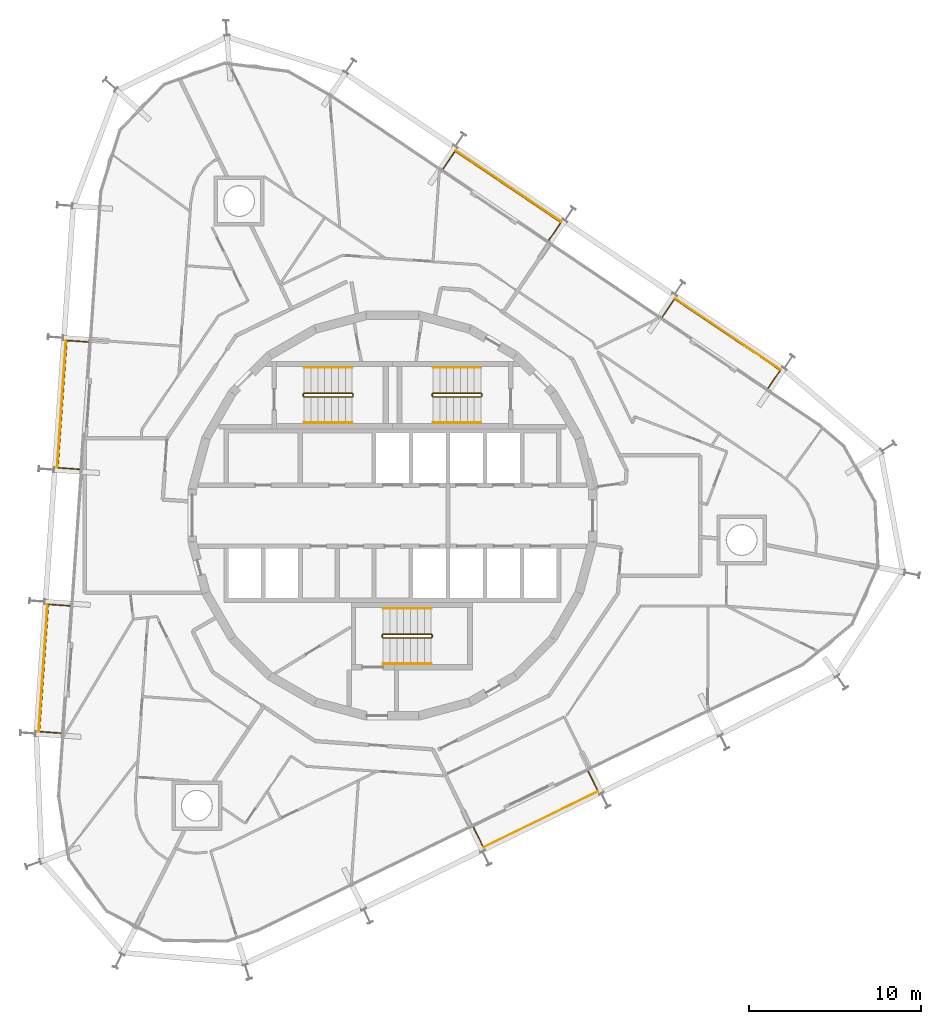
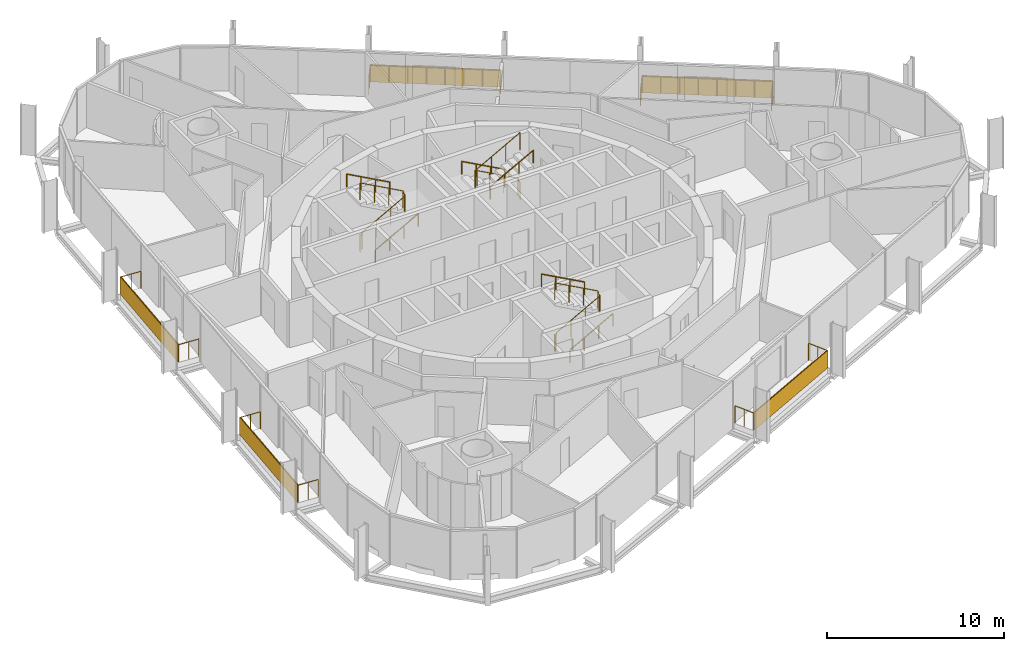
# One storey, part 17 of 17: 14 railings, 5 shading devices.
"""IFC4 building model written with IfcOpenShell, lengths in metres."""

from ifc_helpers import new_model, si_unit, direction, frame, origin, origin_2d, place, context, subcontext, project, spatial, rectangle, circle, extrude, material, layer, layer_set, type_object, element, save


model = new_model("IFC4")

# Units and contexts
model_context = context("Model", 3, precision=1e-05, world=origin(), true_north=direction((0.0, 1.0)))
body_context = subcontext(model_context, "Body", "Model", "MODEL_VIEW")
ifc_project = project(units=[si_unit("LENGTHUNIT", "METRE"), si_unit("AREAUNIT", "SQUARE_METRE"), si_unit("VOLUMEUNIT", "CUBIC_METRE"), si_unit("PLANEANGLEUNIT", "RADIAN"), si_unit("MASSUNIT", "GRAM", prefix="KILO")], contexts=[model_context])

# Site, building, storey
site_placement = place(None, origin())
site = spatial("IfcSite", under=ifc_project, at=site_placement, CompositionType="ELEMENT")
building_placement = place(site_placement, origin())
building = spatial("IfcBuilding", under=site, at=building_placement, Name="Spindle Arch Residences", CompositionType="ELEMENT")
storey_placement = place(building_placement, frame((0.0, 0.0, 191.89990234375)))
storey = spatial("IfcBuildingStorey", under=building, at=storey_placement, Name="L48", CompositionType="ELEMENT", Elevation=191.89990234375)

# Railings
ifc_material_1 = material(Name="Bronze anodised aluminium guard with glass infill", Category="aluminium")
railing_type_1 = type_object("IfcRailingType", Name="Balcony guard 1200", PredefinedType="GUARDRAIL", material=ifc_material_1)
railing_1_placement = place(storey_placement, frame((21.8544921875, 7.41796875, 0.0)))
element("IfcRailing", 1, at=railing_1_placement, inside=storey, type_object=railing_type_1, Name="Guard L48 bay 6", PredefinedType="GUARDRAIL", context=body_context, shape_type="SweptSolid", body=[
    extrude(circle(Radius=0.02392578125, at=origin_2d()), frame((0.0, 0.0, 1.17578125), z_axis=(0.559154156027, 0.829063706718, 0.0), x_axis=(-0.829063706718, 0.559154156027, 0.0)), (0.0, 0.0, 1.0), 1.25),
    extrude(circle(Radius=0.02392578125, at=origin_2d()), frame((0.698974609375, 1.036376953125, 1.17578125), z_axis=(-0.829032773144, 0.559200018824, 0.0), x_axis=(-0.559200018824, -0.829032773144, 0.0)), (0.0, 0.0, 1.0), 7.423828125),
    extrude(circle(Radius=0.02392578125, at=origin_2d()), frame((-5.45556640625, 5.187744140625, 1.17578125), z_axis=(-0.559154156027, -0.829063706718, 0.0), x_axis=(0.829063706718, -0.559154156027, 0.0)), (0.0, 0.0, 1.0), 1.25),
    extrude(circle(Radius=0.02099609375, at=origin_2d()), origin(), (0.0, 0.0, 1.0), 1.15185546875),
    extrude(circle(Radius=0.02099609375, at=origin_2d()), frame((0.349609375, 0.51806640625, 0.0)), (0.0, 0.0, 1.0), 1.15185546875),
    extrude(circle(Radius=0.02099609375, at=origin_2d()), frame((0.698974609375, 1.036376953125, 0.0)), (0.0, 0.0, 1.0), 1.15185546875),
    extrude(circle(Radius=0.02099609375, at=origin_2d()), frame((-0.18017578125, 1.62939453125, 0.0)), (0.0, 0.0, 1.0), 1.15185546875),
    extrude(circle(Radius=0.02099609375, at=origin_2d()), frame((-1.0595703125, 2.222412109375, 0.0)), (0.0, 0.0, 1.0), 1.15185546875),
    extrude(circle(Radius=0.02099609375, at=origin_2d()), frame((-1.938720703125, 2.8154296875, 0.0)), (0.0, 0.0, 1.0), 1.15185546875),
    extrude(circle(Radius=0.02099609375, at=origin_2d()), frame((-2.81787109375, 3.40869140625, 0.0)), (0.0, 0.0, 1.0), 1.15185546875),
    extrude(circle(Radius=0.02099609375, at=origin_2d()), frame((-3.697021484375, 4.001708984375, 0.0)), (0.0, 0.0, 1.0), 1.15185546875),
    extrude(circle(Radius=0.02099609375, at=origin_2d()), frame((-4.576416015625, 4.5947265625, 0.0)), (0.0, 0.0, 1.0), 1.15185546875),
    extrude(circle(Radius=0.02099609375, at=origin_2d()), frame((-5.45556640625, 5.187744140625, 0.0)), (0.0, 0.0, 1.0), 1.15185546875),
    extrude(circle(Radius=0.02099609375, at=origin_2d()), frame((-5.80517578125, 4.66943359375, 0.0)), (0.0, 0.0, 1.0), 1.15185546875),
    extrude(circle(Radius=0.02099609375, at=origin_2d()), frame((-6.154541015625, 4.1513671875, 0.0)), (0.0, 0.0, 1.0), 1.15185546875),
])
railing_2_placement = place(storey_placement, frame((9.097900390625, 16.022705078125, 0.0)))
element("IfcRailing", 2, at=railing_2_placement, inside=storey, type_object=railing_type_1, Name="Guard L48 bay 8", PredefinedType="GUARDRAIL", context=body_context, shape_type="SweptSolid", body=[
    extrude(circle(Radius=0.02392578125, at=origin_2d()), frame((0.0, 0.0, 1.17578125), z_axis=(0.559244705098, 0.829002629562, 0.0), x_axis=(-0.829002629562, 0.559244705098, 0.0)), (0.0, 0.0, 1.0), 1.249755859375),
    extrude(circle(Radius=0.02392578125, at=origin_2d()), frame((0.698974609375, 1.0361328125, 1.17578125), z_axis=(-0.829032773144, 0.559200018824, 0.0), x_axis=(-0.559200018824, -0.829032773144, 0.0)), (0.0, 0.0, 1.0), 7.423828125),
    extrude(circle(Radius=0.02392578125, at=origin_2d()), frame((-5.45556640625, 5.1875, 1.17578125), z_axis=(-0.559154156027, -0.829063706718, 0.0), x_axis=(0.829063706718, -0.559154156027, 0.0)), (0.0, 0.0, 1.0), 1.25),
    extrude(circle(Radius=0.02099609375, at=origin_2d()), origin(), (0.0, 0.0, 1.0), 1.15185546875),
    extrude(circle(Radius=0.02099609375, at=origin_2d()), frame((0.349609375, 0.51806640625, 0.0)), (0.0, 0.0, 1.0), 1.15185546875),
    extrude(circle(Radius=0.02099609375, at=origin_2d()), frame((0.698974609375, 1.0361328125, 0.0)), (0.0, 0.0, 1.0), 1.15185546875),
    extrude(circle(Radius=0.02099609375, at=origin_2d()), frame((-0.18017578125, 1.629150390625, 0.0)), (0.0, 0.0, 1.0), 1.15185546875),
    extrude(circle(Radius=0.02099609375, at=origin_2d()), frame((-1.0595703125, 2.22216796875, 0.0)), (0.0, 0.0, 1.0), 1.15185546875),
    extrude(circle(Radius=0.02099609375, at=origin_2d()), frame((-1.938720703125, 2.815185546875, 0.0)), (0.0, 0.0, 1.0), 1.15185546875),
    extrude(circle(Radius=0.02099609375, at=origin_2d()), frame((-2.81787109375, 3.408447265625, 0.0)), (0.0, 0.0, 1.0), 1.15185546875),
    extrude(circle(Radius=0.02099609375, at=origin_2d()), frame((-3.697021484375, 4.00146484375, 0.0)), (0.0, 0.0, 1.0), 1.15185546875),
    extrude(circle(Radius=0.02099609375, at=origin_2d()), frame((-4.576416015625, 4.594482421875, 0.0)), (0.0, 0.0, 1.0), 1.15185546875),
    extrude(circle(Radius=0.02099609375, at=origin_2d()), frame((-5.45556640625, 5.1875, 0.0)), (0.0, 0.0, 1.0), 1.15185546875),
    extrude(circle(Radius=0.02099609375, at=origin_2d()), frame((-5.80517578125, 4.66943359375, 0.0)), (0.0, 0.0, 1.0), 1.15185546875),
    extrude(circle(Radius=0.02099609375, at=origin_2d()), frame((-6.154541015625, 4.151123046875, 0.0)), (0.0, 0.0, 1.0), 1.15185546875),
])
railing_3_placement = place(storey_placement, frame((-17.709228515625, 10.100830078125, 0.0)))
element("IfcRailing", 3, at=railing_3_placement, inside=storey, type_object=railing_type_1, Name="Guard L48 bay 14", PredefinedType="GUARDRAIL", context=body_context, shape_type="SweptSolid", body=[
    extrude(circle(Radius=0.02392578125, at=origin_2d()), frame((0.0, 0.0, 1.17578125), z_axis=(-0.997552977804, 0.06991463705, 0.0), x_axis=(-0.06991463705, -0.997552977804, 0.0)), (0.0, 0.0, 1.0), 1.250244140625),
    extrude(circle(Radius=0.02392578125, at=origin_2d()), frame((-1.2470703125, 0.08740234375, 1.17578125), z_axis=(-0.069751240415, -0.997564416196, 0.0), x_axis=(0.997564416196, -0.069751240415, 0.0)), (0.0, 0.0, 1.0), 7.423828125),
    extrude(circle(Radius=0.02392578125, at=origin_2d()), frame((-1.764892578125, -7.318359375, 1.17578125), z_axis=(0.997566579437, -0.069720295391, 0.0), x_axis=(0.069720295391, 0.997566579437, 0.0)), (0.0, 0.0, 1.0), 1.25),
    extrude(circle(Radius=0.02099609375, at=origin_2d()), origin(), (0.0, 0.0, 1.0), 1.15185546875),
    extrude(circle(Radius=0.02099609375, at=origin_2d()), frame((-0.62353515625, 0.043701171875, 0.0)), (0.0, 0.0, 1.0), 1.15185546875),
    extrude(circle(Radius=0.02099609375, at=origin_2d()), frame((-1.2470703125, 0.08740234375, 0.0)), (0.0, 0.0, 1.0), 1.15185546875),
    extrude(circle(Radius=0.02099609375, at=origin_2d()), frame((-1.321044921875, -0.970458984375, 0.0)), (0.0, 0.0, 1.0), 1.15185546875),
    extrude(circle(Radius=0.02099609375, at=origin_2d()), frame((-1.39501953125, -2.028564453125, 0.0)), (0.0, 0.0, 1.0), 1.15185546875),
    extrude(circle(Radius=0.02099609375, at=origin_2d()), frame((-1.468994140625, -3.08642578125, 0.0)), (0.0, 0.0, 1.0), 1.15185546875),
    extrude(circle(Radius=0.02099609375, at=origin_2d()), frame((-1.54296875, -4.14453125, 0.0)), (0.0, 0.0, 1.0), 1.15185546875),
    extrude(circle(Radius=0.02099609375, at=origin_2d()), frame((-1.616943359375, -5.202392578125, 0.0)), (0.0, 0.0, 1.0), 1.15185546875),
    extrude(circle(Radius=0.02099609375, at=origin_2d()), frame((-1.69091796875, -6.260498046875, 0.0)), (0.0, 0.0, 1.0), 1.15185546875),
    extrude(circle(Radius=0.02099609375, at=origin_2d()), frame((-1.764892578125, -7.318359375, 0.0)), (0.0, 0.0, 1.0), 1.15185546875),
    extrude(circle(Radius=0.02099609375, at=origin_2d()), frame((-1.141357421875, -7.36181640625, 0.0)), (0.0, 0.0, 1.0), 1.15185546875),
    extrude(circle(Radius=0.02099609375, at=origin_2d()), frame((-0.517822265625, -7.405517578125, 0.0)), (0.0, 0.0, 1.0), 1.15185546875),
])
railing_4_placement = place(storey_placement, frame((-18.78271484375, -5.2490234375, 0.0)))
element("IfcRailing", 4, at=railing_4_placement, inside=storey, type_object=railing_type_1, Name="Guard L48 bay 16", PredefinedType="GUARDRAIL", context=body_context, shape_type="SweptSolid", body=[
    extrude(circle(Radius=0.02392578125, at=origin_2d()), frame((0.0, 0.0, 1.17578125), z_axis=(-0.997565629847, 0.069733880919, 0.0), x_axis=(-0.069733880919, -0.997565629847, 0.0)), (0.0, 0.0, 1.0), 1.249755859375),
    extrude(circle(Radius=0.02392578125, at=origin_2d()), frame((-1.246826171875, 0.087158203125, 1.17578125), z_axis=(-0.069753528744, -0.99756425619, 0.0), x_axis=(0.99756425619, -0.069753528744, 0.0)), (0.0, 0.0, 1.0), 7.423583984375),
    extrude(circle(Radius=0.02392578125, at=origin_2d()), frame((-1.7646484375, -7.318359375, 1.17578125), z_axis=(0.997565629847, -0.069733880919, 0.0), x_axis=(0.069733880919, 0.997565629847, 0.0)), (0.0, 0.0, 1.0), 1.249755859375),
    extrude(circle(Radius=0.02099609375, at=origin_2d()), origin(), (0.0, 0.0, 1.0), 1.15185546875),
    extrude(circle(Radius=0.02099609375, at=origin_2d()), frame((-0.62353515625, 0.04345703125, 0.0)), (0.0, 0.0, 1.0), 1.15185546875),
    extrude(circle(Radius=0.02099609375, at=origin_2d()), frame((-1.246826171875, 0.087158203125, 0.0)), (0.0, 0.0, 1.0), 1.15185546875),
    extrude(circle(Radius=0.02099609375, at=origin_2d()), frame((-1.32080078125, -0.970703125, 0.0)), (0.0, 0.0, 1.0), 1.15185546875),
    extrude(circle(Radius=0.02099609375, at=origin_2d()), frame((-1.394775390625, -2.02880859375, 0.0)), (0.0, 0.0, 1.0), 1.15185546875),
    extrude(circle(Radius=0.02099609375, at=origin_2d()), frame((-1.46875, -3.086669921875, 0.0)), (0.0, 0.0, 1.0), 1.15185546875),
    extrude(circle(Radius=0.02099609375, at=origin_2d()), frame((-1.542724609375, -4.14453125, 0.0)), (0.0, 0.0, 1.0), 1.15185546875),
    extrude(circle(Radius=0.02099609375, at=origin_2d()), frame((-1.61669921875, -5.202392578125, 0.0)), (0.0, 0.0, 1.0), 1.15185546875),
    extrude(circle(Radius=0.02099609375, at=origin_2d()), frame((-1.690673828125, -6.260498046875, 0.0)), (0.0, 0.0, 1.0), 1.15185546875),
    extrude(circle(Radius=0.02099609375, at=origin_2d()), frame((-1.7646484375, -7.318359375, 0.0)), (0.0, 0.0, 1.0), 1.15185546875),
    extrude(circle(Radius=0.02099609375, at=origin_2d()), frame((-1.14111328125, -7.36181640625, 0.0)), (0.0, 0.0, 1.0), 1.15185546875),
    extrude(circle(Radius=0.02099609375, at=origin_2d()), frame((-0.517822265625, -7.405517578125, 0.0)), (0.0, 0.0, 1.0), 1.15185546875),
])
railing_5_placement = place(storey_placement, frame((4.717041015625, -18.138671875, 0.0)))
element("IfcRailing", 5, at=railing_5_placement, inside=storey, type_object=railing_type_1, Name="Guard L48 bay 22", PredefinedType="GUARDRAIL", context=body_context, shape_type="SweptSolid", body=[
    extrude(circle(Radius=0.02392578125, at=origin_2d()), frame((0.0, 0.0, 1.17578125), z_axis=(0.438285095444, -0.898836011245, 0.0), x_axis=(0.898836011245, 0.438285095444, 0.0)), (0.0, 0.0, 1.0), 1.25),
    extrude(circle(Radius=0.02392578125, at=origin_2d()), frame((0.5478515625, -1.12353515625, 1.17578125), z_axis=(0.898790569069, 0.438378276096, 0.0), x_axis=(-0.438378276096, 0.898790569069, 0.0)), (0.0, 0.0, 1.0), 7.423828125),
    extrude(circle(Radius=0.02392578125, at=origin_2d()), frame((7.22021484375, 2.130859375, 1.17578125), z_axis=(-0.438285095444, 0.898836011245, 0.0), x_axis=(-0.898836011245, -0.438285095444, 0.0)), (0.0, 0.0, 1.0), 1.25),
    extrude(circle(Radius=0.02099609375, at=origin_2d()), origin(), (0.0, 0.0, 1.0), 1.15185546875),
    extrude(circle(Radius=0.02099609375, at=origin_2d()), frame((0.27392578125, -0.561767578125, 0.0)), (0.0, 0.0, 1.0), 1.15185546875),
    extrude(circle(Radius=0.02099609375, at=origin_2d()), frame((0.5478515625, -1.12353515625, 0.0)), (0.0, 0.0, 1.0), 1.15185546875),
    extrude(circle(Radius=0.02099609375, at=origin_2d()), frame((1.5009765625, -0.65869140625, 0.0)), (0.0, 0.0, 1.0), 1.15185546875),
    extrude(circle(Radius=0.02099609375, at=origin_2d()), frame((2.454345703125, -0.193603515625, 0.0)), (0.0, 0.0, 1.0), 1.15185546875),
    extrude(circle(Radius=0.02099609375, at=origin_2d()), frame((3.407470703125, 0.271240234375, 0.0)), (0.0, 0.0, 1.0), 1.15185546875),
    extrude(circle(Radius=0.02099609375, at=origin_2d()), frame((4.360595703125, 0.736083984375, 0.0)), (0.0, 0.0, 1.0), 1.15185546875),
    extrude(circle(Radius=0.02099609375, at=origin_2d()), frame((5.313720703125, 1.200927734375, 0.0)), (0.0, 0.0, 1.0), 1.15185546875),
    extrude(circle(Radius=0.02099609375, at=origin_2d()), frame((6.26708984375, 1.666015625, 0.0)), (0.0, 0.0, 1.0), 1.15185546875),
    extrude(circle(Radius=0.02099609375, at=origin_2d()), frame((7.22021484375, 2.130859375, 0.0)), (0.0, 0.0, 1.0), 1.15185546875),
    extrude(circle(Radius=0.02099609375, at=origin_2d()), frame((6.9462890625, 2.692626953125, 0.0)), (0.0, 0.0, 1.0), 1.15185546875),
    extrude(circle(Radius=0.02099609375, at=origin_2d()), frame((6.67236328125, 3.25439453125, 0.0)), (0.0, 0.0, 1.0), 1.15185546875),
])

# Shading devices
ifc_material_2 = material(Name="Bronze perforated cobogo screen")
ifc_layer = layer(ifc_material_2, 0.0390625)
ifc_layer_set = layer_set([ifc_layer], Name="Cobogo screen 1200")
shading_device_type = type_object("IfcShadingDeviceType", Name="Cobogo screen 1200", PredefinedType="USERDEFINED", material=ifc_layer_set)
for number, where, z_axis, x_axis, name in (
    (6, (19.4990234375, 10.5634765625, 0.0), (0.0, 0.0, 1.0), (-0.829037572555, 0.559192903471, 0.0), "Cobogo screen L48 bay 6"),
    (7, (6.7421875, 19.168212890625, 0.0), (0.0, 0.0, 1.0), (-0.829037572555, 0.559192903471, 0.0), "Cobogo screen L48 bay 8"),
    (8, (-19.255615234375, 6.488037109375, 0.0), (0.0, 0.0, 1.0), (-0.069756473744, -0.99756405026, 0.0), "Cobogo screen L48 bay 14"),
    (9, (-20.328857421875, -8.86181640625, 0.0), (0.0, 0.0, 1.0), (-0.069756473744, -0.99756405026, 0.0), "Cobogo screen L48 bay 16"),
    (10, (8.618896484375, -17.67138671875, 0.0), (0.0, 0.0, 1.0), (0.898794046299, 0.438371146789, 0.0), "Cobogo screen L48 bay 22"),
):
    element("IfcShadingDevice", number, at=place(storey_placement, frame(where, z_axis=z_axis, x_axis=x_axis)), inside=storey, type_object=shading_device_type, Name=name, ObjectType="SCREEN", PredefinedType="USERDEFINED", context=body_context, shape_type="SweptSolid", body=[
        extrude(rectangle(XDim=7.423828125, YDim=0.0390625, at=origin_2d()), origin(), (0.0, 0.0, 1.0), 1.199951171875),
    ])

# Railings
ifc_material_3 = material(Name="Steel, painted", Category="steel")
railing_type_2 = type_object("IfcRailingType", Name="Stair guard 1100", PredefinedType="GUARDRAIL", material=ifc_material_3)
railing_6_placement = place(storey_placement, frame((5.14990234375, 6.89990234375, 3.5)))
element("IfcRailing", 11, at=railing_6_placement, inside=storey, type_object=railing_type_2, Name="L48 ST1 stair guard 1", PredefinedType="GUARDRAIL", context=body_context, shape_type="SweptSolid", body=[
    extrude(circle(Radius=0.02392578125, at=origin_2d()), frame((0.0, 0.0, 1.17578125), z_axis=(-0.877357048833, 0.0, -0.479838106931), x_axis=(0.0, -1.0, 0.0)), (0.0, 0.0, 1.0), 3.191162109375),
    extrude(circle(Radius=0.02392578125, at=origin_2d()), frame((-2.7998046875, 0.0, -0.35546875), z_axis=(-0.217683172539, 0.217683172539, -0.951434744366), x_axis=(-0.707106781187, -0.707106781187, 0.0)), (0.0, 0.0, 1.0), 0.22998046875),
    extrude(circle(Radius=0.02392578125, at=origin_2d()), frame((-2.849853515625, 0.050048828125, -0.57421875), z_axis=(0.0, 1.0, 0.0), x_axis=(-1.0, 0.0, 0.0)), (0.0, 0.0, 1.0), 0.1201171875),
    extrude(circle(Radius=0.02392578125, at=origin_2d()), frame((-2.849853515625, 0.170166015625, -0.57421875), z_axis=(0.707106781187, 0.707106781187, 0.0), x_axis=(-0.707106781187, 0.707106781187, 0.0)), (0.0, 0.0, 1.0), 0.07080078125),
    extrude(circle(Radius=0.02392578125, at=origin_2d()), frame((-2.7998046875, 0.22021484375, -0.57421875), z_axis=(0.877357048833, 0.0, -0.479838106931), x_axis=(0.0, 1.0, 0.0)), (0.0, 0.0, 1.0), 3.191162109375),
    extrude(circle(Radius=0.02392578125, at=origin_2d()), frame((0.0, 0.22021484375, -2.10546875), z_axis=(0.217683172539, -0.217683172539, -0.951434744366), x_axis=(0.707106781187, 0.707106781187, 0.0)), (0.0, 0.0, 1.0), 0.22998046875),
    extrude(circle(Radius=0.02392578125, at=origin_2d()), frame((0.050048828125, 0.170166015625, -2.32421875), z_axis=(0.0, -1.0, 0.0), x_axis=(1.0, 0.0, 0.0)), (0.0, 0.0, 1.0), 0.1201171875),
    extrude(circle(Radius=0.02099609375, at=origin_2d()), origin(), (0.0, 0.0, 1.0), 1.15185546875),
    extrude(circle(Radius=0.02099609375, at=origin_2d()), frame((-0.933349609375, 0.0, -0.510498046875)), (0.0, 0.0, 1.0), 1.15185546875),
    extrude(circle(Radius=0.02099609375, at=origin_2d()), frame((-1.866455078125, 0.0, -1.020751953125)), (0.0, 0.0, 1.0), 1.15185546875),
    extrude(circle(Radius=0.02099609375, at=origin_2d()), frame((-2.7998046875, 0.0, -1.53125)), (0.0, 0.0, 1.0), 1.15185546875),
    extrude(circle(Radius=0.02099609375, at=origin_2d()), frame((-2.849853515625, 0.050048828125, -1.75)), (0.0, 0.0, 1.0), 1.15185546875),
    extrude(circle(Radius=0.02099609375, at=origin_2d()), frame((-2.849853515625, 0.170166015625, -1.75)), (0.0, 0.0, 1.0), 1.15185546875),
    extrude(circle(Radius=0.02099609375, at=origin_2d()), frame((-2.7998046875, 0.22021484375, -1.75)), (0.0, 0.0, 1.0), 1.15185546875),
    extrude(circle(Radius=0.02099609375, at=origin_2d()), frame((-1.866455078125, 0.22021484375, -2.260498046875)), (0.0, 0.0, 1.0), 1.15185546875),
    extrude(circle(Radius=0.02099609375, at=origin_2d()), frame((-0.933349609375, 0.22021484375, -2.770751953125)), (0.0, 0.0, 1.0), 1.15185546875),
    extrude(circle(Radius=0.02099609375, at=origin_2d()), frame((0.0, 0.22021484375, -3.28125)), (0.0, 0.0, 1.0), 1.15185546875),
    extrude(circle(Radius=0.02099609375, at=origin_2d()), frame((0.050048828125, 0.170166015625, -3.5)), (0.0, 0.0, 1.0), 1.15185546875),
    extrude(circle(Radius=0.02099609375, at=origin_2d()), frame((0.050048828125, 0.050048828125, -3.5)), (0.0, 0.0, 1.0), 1.15185546875),
])
railing_7_placement = place(storey_placement, frame((-5.14990234375, 7.1201171875, 3.5)))
element("IfcRailing", 12, at=railing_7_placement, inside=storey, type_object=railing_type_2, Name="L48 ST2 stair guard 1", PredefinedType="GUARDRAIL", context=body_context, shape_type="SweptSolid", body=[
    extrude(circle(Radius=0.02392578125, at=origin_2d()), frame((0.0, 0.0, 1.17578125), z_axis=(0.877357048833, 0.0, -0.479838106931), x_axis=(0.0, 1.0, 0.0)), (0.0, 0.0, 1.0), 3.191162109375),
    extrude(circle(Radius=0.02392578125, at=origin_2d()), frame((2.7998046875, 0.0, -0.35546875), z_axis=(0.217683172539, -0.217683172539, -0.951434744366), x_axis=(0.707106781187, 0.707106781187, 0.0)), (0.0, 0.0, 1.0), 0.22998046875),
    extrude(circle(Radius=0.02392578125, at=origin_2d()), frame((2.849853515625, -0.050048828125, -0.57421875), z_axis=(0.0, -1.0, 0.0), x_axis=(1.0, 0.0, 0.0)), (0.0, 0.0, 1.0), 0.1201171875),
    extrude(circle(Radius=0.02392578125, at=origin_2d()), frame((2.849853515625, -0.170166015625, -0.57421875), z_axis=(-0.707106781187, -0.707106781187, 0.0), x_axis=(0.707106781187, -0.707106781187, 0.0)), (0.0, 0.0, 1.0), 0.07080078125),
    extrude(circle(Radius=0.02392578125, at=origin_2d()), frame((2.7998046875, -0.22021484375, -0.57421875), z_axis=(-0.877357048833, 0.0, -0.479838106931), x_axis=(0.0, -1.0, 0.0)), (0.0, 0.0, 1.0), 3.191162109375),
    extrude(circle(Radius=0.02392578125, at=origin_2d()), frame((0.0, -0.22021484375, -2.10546875), z_axis=(-0.217683172539, 0.217683172539, -0.951434744366), x_axis=(-0.707106781187, -0.707106781187, 0.0)), (0.0, 0.0, 1.0), 0.22998046875),
    extrude(circle(Radius=0.02392578125, at=origin_2d()), frame((-0.050048828125, -0.170166015625, -2.32421875), z_axis=(0.0, 1.0, 0.0), x_axis=(-1.0, 0.0, 0.0)), (0.0, 0.0, 1.0), 0.1201171875),
    extrude(circle(Radius=0.02099609375, at=origin_2d()), origin(), (0.0, 0.0, 1.0), 1.15185546875),
    extrude(circle(Radius=0.02099609375, at=origin_2d()), frame((0.933349609375, 0.0, -0.510498046875)), (0.0, 0.0, 1.0), 1.15185546875),
    extrude(circle(Radius=0.02099609375, at=origin_2d()), frame((1.866455078125, 0.0, -1.020751953125)), (0.0, 0.0, 1.0), 1.15185546875),
    extrude(circle(Radius=0.02099609375, at=origin_2d()), frame((2.7998046875, 0.0, -1.53125)), (0.0, 0.0, 1.0), 1.15185546875),
    extrude(circle(Radius=0.02099609375, at=origin_2d()), frame((2.849853515625, -0.050048828125, -1.75)), (0.0, 0.0, 1.0), 1.15185546875),
    extrude(circle(Radius=0.02099609375, at=origin_2d()), frame((2.849853515625, -0.170166015625, -1.75)), (0.0, 0.0, 1.0), 1.15185546875),
    extrude(circle(Radius=0.02099609375, at=origin_2d()), frame((2.7998046875, -0.22021484375, -1.75)), (0.0, 0.0, 1.0), 1.15185546875),
    extrude(circle(Radius=0.02099609375, at=origin_2d()), frame((1.866455078125, -0.22021484375, -2.260498046875)), (0.0, 0.0, 1.0), 1.15185546875),
    extrude(circle(Radius=0.02099609375, at=origin_2d()), frame((0.933349609375, -0.22021484375, -2.770751953125)), (0.0, 0.0, 1.0), 1.15185546875),
    extrude(circle(Radius=0.02099609375, at=origin_2d()), frame((0.0, -0.22021484375, -3.28125)), (0.0, 0.0, 1.0), 1.15185546875),
    extrude(circle(Radius=0.02099609375, at=origin_2d()), frame((-0.050048828125, -0.170166015625, -3.5)), (0.0, 0.0, 1.0), 1.15185546875),
    extrude(circle(Radius=0.02099609375, at=origin_2d()), frame((-0.050048828125, -0.050048828125, -3.5)), (0.0, 0.0, 1.0), 1.15185546875),
])
railing_8_placement = place(storey_placement, frame((-0.550048828125, -6.89990234375, 3.5)))
element("IfcRailing", 13, at=railing_8_placement, inside=storey, type_object=railing_type_2, Name="L48 ST3 stair guard 1", PredefinedType="GUARDRAIL", context=body_context, shape_type="SweptSolid", body=[
    extrude(circle(Radius=0.02392578125, at=origin_2d()), frame((0.0, 0.0, 1.17578125), z_axis=(0.877374661878, 0.0, -0.479805901063), x_axis=(0.0, 1.0, 0.0)), (0.0, 0.0, 1.0), 3.19140625),
    extrude(circle(Radius=0.02392578125, at=origin_2d()), frame((2.800048828125, 0.0, -0.35546875), z_axis=(0.217683172539, -0.217683172539, -0.951434744366), x_axis=(0.707106781187, 0.707106781187, 0.0)), (0.0, 0.0, 1.0), 0.22998046875),
    extrude(circle(Radius=0.02392578125, at=origin_2d()), frame((2.85009765625, -0.050048828125, -0.57421875), z_axis=(0.0, -1.0, 0.0), x_axis=(1.0, 0.0, 0.0)), (0.0, 0.0, 1.0), 0.1201171875),
    extrude(circle(Radius=0.02392578125, at=origin_2d()), frame((2.85009765625, -0.170166015625, -0.57421875), z_axis=(-0.707106781187, -0.707106781187, 0.0), x_axis=(0.707106781187, -0.707106781187, 0.0)), (0.0, 0.0, 1.0), 0.07080078125),
    extrude(circle(Radius=0.02392578125, at=origin_2d()), frame((2.800048828125, -0.22021484375, -0.57421875), z_axis=(-0.877374661878, 0.0, -0.479805901063), x_axis=(0.0, -1.0, 0.0)), (0.0, 0.0, 1.0), 3.19140625),
    extrude(circle(Radius=0.02392578125, at=origin_2d()), frame((0.0, -0.22021484375, -2.10546875), z_axis=(-0.217683172539, 0.217683172539, -0.951434744366), x_axis=(-0.707106781187, -0.707106781187, 0.0)), (0.0, 0.0, 1.0), 0.22998046875),
    extrude(circle(Radius=0.02392578125, at=origin_2d()), frame((-0.050048828125, -0.170166015625, -2.32421875), z_axis=(0.0, 1.0, 0.0), x_axis=(-1.0, 0.0, 0.0)), (0.0, 0.0, 1.0), 0.1201171875),
    extrude(circle(Radius=0.02099609375, at=origin_2d()), origin(), (0.0, 0.0, 1.0), 1.15185546875),
    extrude(circle(Radius=0.02099609375, at=origin_2d()), frame((0.933349609375, 0.0, -0.510498046875)), (0.0, 0.0, 1.0), 1.15185546875),
    extrude(circle(Radius=0.02099609375, at=origin_2d()), frame((1.86669921875, 0.0, -1.020751953125)), (0.0, 0.0, 1.0), 1.15185546875),
    extrude(circle(Radius=0.02099609375, at=origin_2d()), frame((2.800048828125, 0.0, -1.53125)), (0.0, 0.0, 1.0), 1.15185546875),
    extrude(circle(Radius=0.02099609375, at=origin_2d()), frame((2.85009765625, -0.050048828125, -1.75)), (0.0, 0.0, 1.0), 1.15185546875),
    extrude(circle(Radius=0.02099609375, at=origin_2d()), frame((2.85009765625, -0.170166015625, -1.75)), (0.0, 0.0, 1.0), 1.15185546875),
    extrude(circle(Radius=0.02099609375, at=origin_2d()), frame((2.800048828125, -0.22021484375, -1.75)), (0.0, 0.0, 1.0), 1.15185546875),
    extrude(circle(Radius=0.02099609375, at=origin_2d()), frame((1.86669921875, -0.22021484375, -2.260498046875)), (0.0, 0.0, 1.0), 1.15185546875),
    extrude(circle(Radius=0.02099609375, at=origin_2d()), frame((0.933349609375, -0.22021484375, -2.770751953125)), (0.0, 0.0, 1.0), 1.15185546875),
    extrude(circle(Radius=0.02099609375, at=origin_2d()), frame((0.0, -0.22021484375, -3.28125)), (0.0, 0.0, 1.0), 1.15185546875),
    extrude(circle(Radius=0.02099609375, at=origin_2d()), frame((-0.050048828125, -0.170166015625, -3.5)), (0.0, 0.0, 1.0), 1.15185546875),
    extrude(circle(Radius=0.02099609375, at=origin_2d()), frame((-0.050048828125, -0.050048828125, -3.5)), (0.0, 0.0, 1.0), 1.15185546875),
])
ifc_material_4 = material(Name="Steel, painted", Category="steel")
railing_type_3 = type_object("IfcRailingType", Name="Stair handrail 900", PredefinedType="HANDRAIL", material=ifc_material_4)
railing_9_placement = place(storey_placement, frame((5.14990234375, 8.6201171875, 0.21875)))
element("IfcRailing", 14, at=railing_9_placement, inside=storey, type_object=railing_type_3, Name="L48 ST1 stair handrail 1", PredefinedType="HANDRAIL", context=body_context, shape_type="SweptSolid", body=[
    extrude(circle(Radius=0.02392578125, at=origin_2d()), frame((0.0, 0.0, 0.8759765625), z_axis=(-0.877357048833, 0.0, 0.479838106931), x_axis=(0.0, -1.0, 0.0)), (0.0, 0.0, 1.0), 3.191162109375),
    extrude(circle(Radius=0.02099609375, at=origin_2d()), origin(), (0.0, 0.0, 1.0), 0.851806640625),
    extrude(circle(Radius=0.02099609375, at=origin_2d()), frame((-0.933349609375, 0.0, 0.510498046875)), (0.0, 0.0, 1.0), 0.851806640625),
    extrude(circle(Radius=0.02099609375, at=origin_2d()), frame((-1.866455078125, 0.0, 1.020751953125)), (0.0, 0.0, 1.0), 0.851806640625),
    extrude(circle(Radius=0.02099609375, at=origin_2d()), frame((-2.7998046875, 0.0, 1.53125)), (0.0, 0.0, 1.0), 0.851806640625),
])
for number, where, name in (
    (15, (2.35009765625, 5.39990234375, 1.96875), "L48 ST1 stair handrail 2"),
    (16, (-5.14990234375, 5.39990234375, 0.21875), "L48 ST2 stair handrail 1"),
):
    element("IfcRailing", number, at=place(storey_placement, frame(where)), inside=storey, type_object=railing_type_3, Name=name, PredefinedType="HANDRAIL", context=body_context, shape_type="SweptSolid", body=[
        extrude(circle(Radius=0.02392578125, at=origin_2d()), frame((0.0, 0.0, 0.8759765625), z_axis=(0.877357048833, 0.0, 0.479838106931), x_axis=(0.0, 1.0, 0.0)), (0.0, 0.0, 1.0), 3.191162109375),
        extrude(circle(Radius=0.02099609375, at=origin_2d()), origin(), (0.0, 0.0, 1.0), 0.851806640625),
        extrude(circle(Radius=0.02099609375, at=origin_2d()), frame((0.933349609375, 0.0, 0.510498046875)), (0.0, 0.0, 1.0), 0.851806640625),
        extrude(circle(Radius=0.02099609375, at=origin_2d()), frame((1.866455078125, 0.0, 1.020751953125)), (0.0, 0.0, 1.0), 0.851806640625),
        extrude(circle(Radius=0.02099609375, at=origin_2d()), frame((2.7998046875, 0.0, 1.53125)), (0.0, 0.0, 1.0), 0.851806640625),
    ])
railing_10_placement = place(storey_placement, frame((-2.35009765625, 8.6201171875, 1.96875)))
element("IfcRailing", 17, at=railing_10_placement, inside=storey, type_object=railing_type_3, Name="L48 ST2 stair handrail 2", PredefinedType="HANDRAIL", context=body_context, shape_type="SweptSolid", body=[
    extrude(circle(Radius=0.02392578125, at=origin_2d()), frame((0.0, 0.0, 0.8759765625), z_axis=(-0.877357048833, 0.0, 0.479838106931), x_axis=(0.0, -1.0, 0.0)), (0.0, 0.0, 1.0), 3.191162109375),
    extrude(circle(Radius=0.02099609375, at=origin_2d()), origin(), (0.0, 0.0, 1.0), 0.851806640625),
    extrude(circle(Radius=0.02099609375, at=origin_2d()), frame((-0.933349609375, 0.0, 0.510498046875)), (0.0, 0.0, 1.0), 0.851806640625),
    extrude(circle(Radius=0.02099609375, at=origin_2d()), frame((-1.866455078125, 0.0, 1.020751953125)), (0.0, 0.0, 1.0), 0.851806640625),
    extrude(circle(Radius=0.02099609375, at=origin_2d()), frame((-2.7998046875, 0.0, 1.53125)), (0.0, 0.0, 1.0), 0.851806640625),
])
railing_11_placement = place(storey_placement, frame((-0.550048828125, -8.6201171875, 0.21875)))
element("IfcRailing", 18, at=railing_11_placement, inside=storey, type_object=railing_type_3, Name="L48 ST3 stair handrail 1", PredefinedType="HANDRAIL", context=body_context, shape_type="SweptSolid", body=[
    extrude(circle(Radius=0.02392578125, at=origin_2d()), frame((0.0, 0.0, 0.8759765625), z_axis=(0.877374661878, 0.0, 0.479805901063), x_axis=(0.0, 1.0, 0.0)), (0.0, 0.0, 1.0), 3.19140625),
    extrude(circle(Radius=0.02099609375, at=origin_2d()), origin(), (0.0, 0.0, 1.0), 0.851806640625),
    extrude(circle(Radius=0.02099609375, at=origin_2d()), frame((0.933349609375, 0.0, 0.510498046875)), (0.0, 0.0, 1.0), 0.851806640625),
    extrude(circle(Radius=0.02099609375, at=origin_2d()), frame((1.86669921875, 0.0, 1.020751953125)), (0.0, 0.0, 1.0), 0.851806640625),
    extrude(circle(Radius=0.02099609375, at=origin_2d()), frame((2.800048828125, 0.0, 1.53125)), (0.0, 0.0, 1.0), 0.851806640625),
])
railing_12_placement = place(storey_placement, frame((2.25, -5.39990234375, 1.96875)))
element("IfcRailing", 19, at=railing_12_placement, inside=storey, type_object=railing_type_3, Name="L48 ST3 stair handrail 2", PredefinedType="HANDRAIL", context=body_context, shape_type="SweptSolid", body=[
    extrude(circle(Radius=0.02392578125, at=origin_2d()), frame((0.0, 0.0, 0.8759765625), z_axis=(-0.877374661878, 0.0, 0.479805901063), x_axis=(0.0, -1.0, 0.0)), (0.0, 0.0, 1.0), 3.19140625),
    extrude(circle(Radius=0.02099609375, at=origin_2d()), origin(), (0.0, 0.0, 1.0), 0.851806640625),
    extrude(circle(Radius=0.02099609375, at=origin_2d()), frame((-0.933349609375, 0.0, 0.510498046875)), (0.0, 0.0, 1.0), 0.851806640625),
    extrude(circle(Radius=0.02099609375, at=origin_2d()), frame((-1.86669921875, 0.0, 1.020751953125)), (0.0, 0.0, 1.0), 0.851806640625),
    extrude(circle(Radius=0.02099609375, at=origin_2d()), frame((-2.800048828125, 0.0, 1.53125)), (0.0, 0.0, 1.0), 0.851806640625),
])

save(model, "model.ifc")
